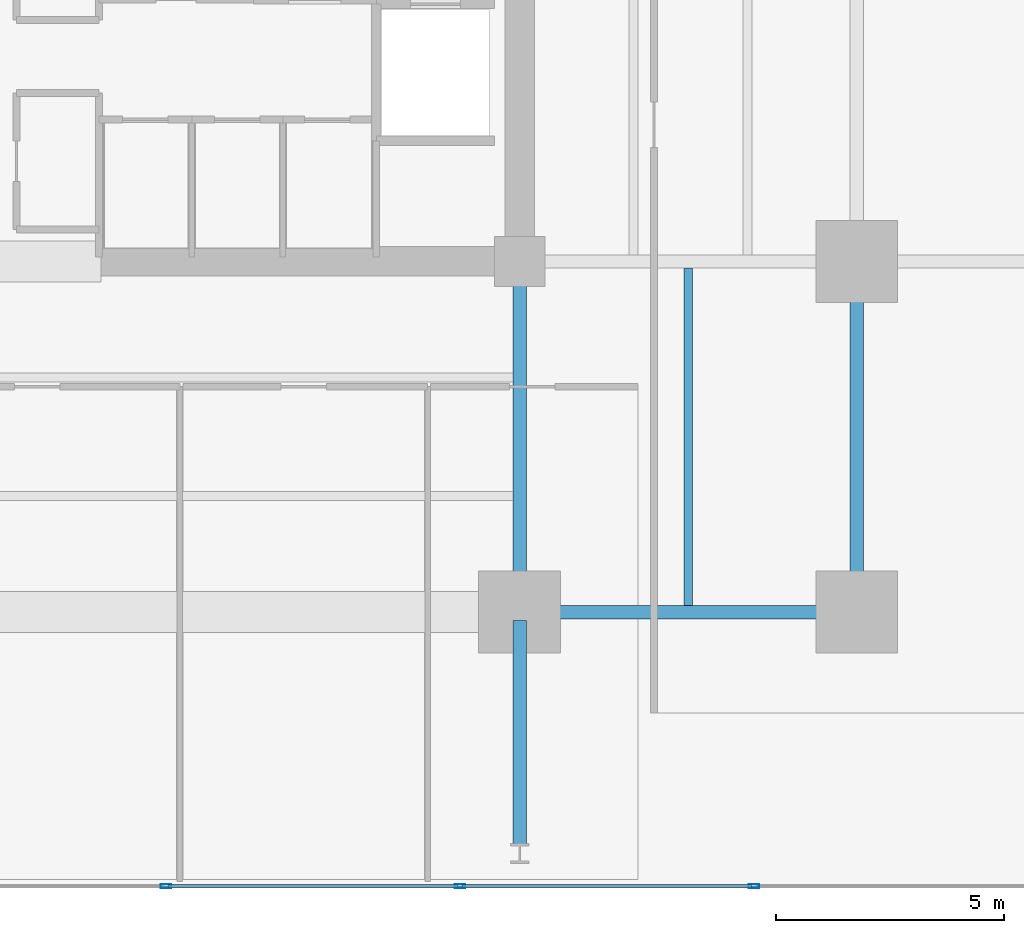
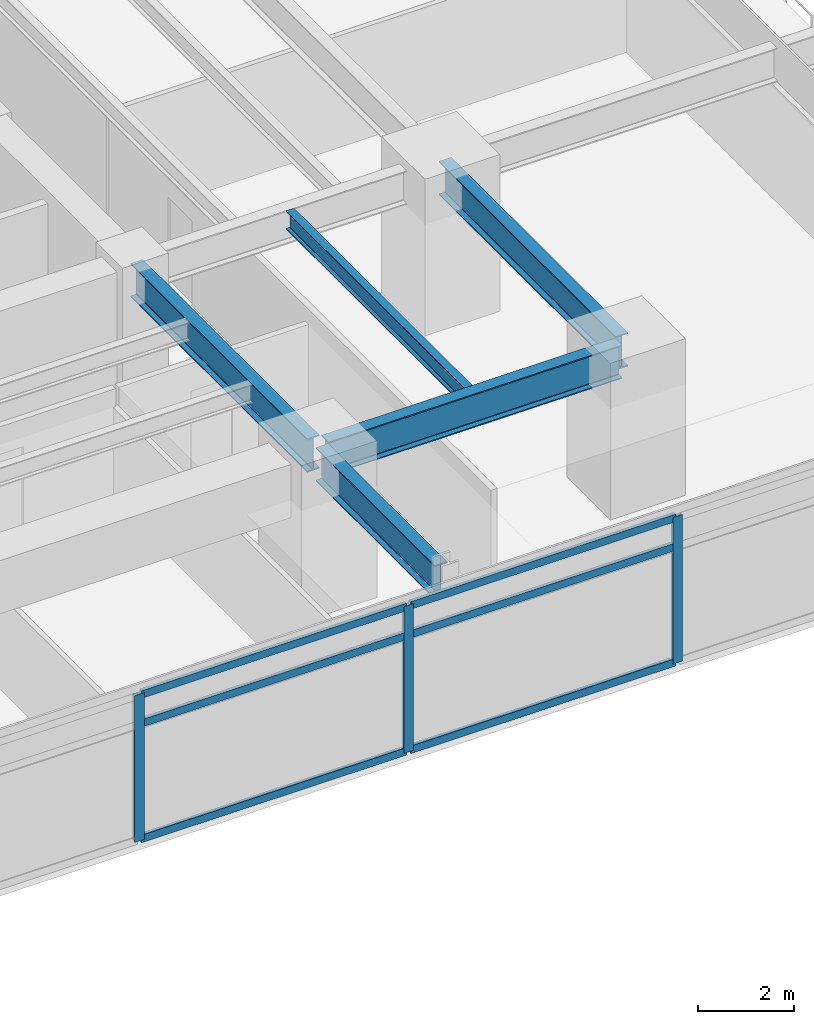
# One storey, part 6 of 22: 9 members, 5 beams, 1 element without a shape of its own.
"""IFC4 building model written with IfcOpenShell, lengths in metres."""

import ifcopenshell
import ifcopenshell.guid

model = None  # the IFC model being written
_history = None  # IfcOwnerHistory: only IFC2X3 demands one
_inside = {}  # id of a spatial element -> (the spatial element, [elements in it])
_under = {}  # id of a project, library or spatial element -> (it, [spatial elements below it])
_declared = {}  # id of a project -> (the project, [libraries it declares])
_typed = {}  # id of a type object -> (the type object, [elements of that type])
_made_of = {}  # id of a material, layer set ... -> (it, [elements and type objects made of it])


def new_model(schema):
    """Start an empty IFC model of exactly this schema.

    Asked for "IFC4X3", IfcOpenShell would pick the latest addendum, in which some entities
    have other attributes; the version numbers below select the first issue.
    IFC2X3 requires an IfcOwnerHistory on every rooted entity: one is made here for all.
    """
    global model, _history
    if schema == "IFC4X3":
        model = ifcopenshell.file(schema_version=(4, 3, 0, 0))
    else:
        model = ifcopenshell.file(schema=schema)
    _inside.clear()
    _under.clear()
    _declared.clear()
    _typed.clear()
    _made_of.clear()
    _history = None
    if model.schema == "IFC2X3":
        org = make("IfcOrganization", Name="unknown")
        user = make(
            "IfcPersonAndOrganization",
            ThePerson=make("IfcPerson", FamilyName="unknown"),
            TheOrganization=org,
        )
        app = make(
            "IfcApplication",
            ApplicationDeveloper=org,
            Version="unknown",
            ApplicationFullName="unknown",
            ApplicationIdentifier="unknown",
        )
        _history = make(
            "IfcOwnerHistory",
            OwningUser=user,
            OwningApplication=app,
            ChangeAction="ADDED",
            CreationDate=0,
        )
    return model


def make(cls, **values):
    """One entity of the class cls with the attributes given. An attribute that is None is left unset."""
    return model.create_entity(
        cls, **{name: value for name, value in values.items() if value is not None}
    )


def rooted(cls, **values):
    """An entity with a GlobalId (a new one), such as an element, a storey or a relation."""
    return make(cls, GlobalId=ifcopenshell.guid.new(), OwnerHistory=_history, **values)


def si_unit(unit_type, name, prefix=None):
    """IfcSIUnit, for example si_unit("LENGTHUNIT", "METRE", prefix="MILLI")."""
    return make("IfcSIUnit", UnitType=unit_type, Prefix=prefix, Name=name)


def assignment(units):
    """IfcUnitAssignment: the units of a project."""
    return None if units is None else make("IfcUnitAssignment", Units=units)


def point(xyz):
    """IfcCartesianPoint."""
    return None if xyz is None else make("IfcCartesianPoint", Coordinates=xyz)


def direction(xyz):
    """IfcDirection."""
    return None if xyz is None else make("IfcDirection", DirectionRatios=xyz)


def frame(location, z_axis=None, x_axis=None):
    """IfcAxis2Placement3D, a coordinate frame: its origin and axes. An axis left out is left unset."""
    return make(
        "IfcAxis2Placement3D",
        Location=point(location),
        Axis=direction(z_axis),
        RefDirection=direction(x_axis),
    )


def frame_2d(location, x_axis=None):
    """IfcAxis2Placement2D, a coordinate frame in the plane: its origin and x axis."""
    return make(
        "IfcAxis2Placement2D", Location=point(location), RefDirection=direction(x_axis)
    )


def origin():
    """The frame at (0, 0, 0) with its axes left unset."""
    return frame((0.0, 0.0, 0.0))


def origin_2d():
    """The frame at (0, 0) in the plane with its x axis left unset."""
    return frame_2d((0.0, 0.0))


def place(relative_to, where):
    """IfcLocalPlacement: puts the frame where relative to a parent placement (None: the world)."""
    return make(
        "IfcLocalPlacement", PlacementRelTo=relative_to, RelativePlacement=where
    )


def context(
    kind, dimensions, precision=None, world=None, true_north=None, identifier=None
):
    """IfcGeometricRepresentationContext, for example the 3D "Model" context."""
    return make(
        "IfcGeometricRepresentationContext",
        ContextIdentifier=identifier,
        ContextType=kind,
        CoordinateSpaceDimension=dimensions,
        Precision=precision,
        WorldCoordinateSystem=world,
        TrueNorth=true_north,
    )


def subcontext(parent, identifier, kind, view, scale=None):
    """IfcGeometricRepresentationSubContext, for example "Body" below "Model"."""
    return make(
        "IfcGeometricRepresentationSubContext",
        ContextIdentifier=identifier,
        ContextType=kind,
        ParentContext=parent,
        TargetScale=scale,
        TargetView=view,
    )


def project(units=None, contexts=None):
    """IfcProject with its units and contexts."""
    return rooted(
        "IfcProject",
        Name="project",
        RepresentationContexts=contexts,
        UnitsInContext=assignment(units),
    )


def spatial(cls, under=None, at=None, **own):
    """A site, building, storey or space (cls), placed at a placement, below another one or the project."""
    s = rooted(cls, ObjectPlacement=at, **own)
    if under is not None:
        _under.setdefault(under.id(), (under, []))[1].append(s)
    return s


def profile(cls, at=None, kind="AREA", **sizes):
    """A parametric profile (cls). Its sizes go by their IFC names, for example OverallWidth=200.0."""
    return make(cls, ProfileType=kind, Position=at, **sizes)


def hollow_rectangle(**sizes):
    """IfcRectangleHollowProfileDef."""
    return profile("IfcRectangleHollowProfileDef", **sizes)


def i_section(**sizes):
    """IfcIShapeProfileDef."""
    return profile("IfcIShapeProfileDef", **sizes)


def extrude(swept, where, along, depth):
    """IfcExtrudedAreaSolid: the profile swept, set in the frame where, extruded along a direction by depth."""
    return make(
        "IfcExtrudedAreaSolid",
        SweptArea=swept,
        Position=where,
        ExtrudedDirection=direction(along),
        Depth=depth,
    )


def shape(context_of_items, identifier, shape_type, items):
    """IfcShapeRepresentation: the items that make up one representation, for example the "Body"."""
    return make(
        "IfcShapeRepresentation",
        ContextOfItems=context_of_items,
        RepresentationIdentifier=identifier,
        RepresentationType=shape_type,
        Items=items,
    )


def material(Name=None, Category=None):
    """IfcMaterial."""
    return make("IfcMaterial", Name=Name, Category=Category)


def material_profile(
    of_material, cross_section, Name=None, Category=None, Priority=None
):
    """IfcMaterialProfile: a cross section and its material."""
    return make(
        "IfcMaterialProfile",
        Name=Name,
        Material=of_material,
        Profile=cross_section,
        Priority=Priority,
        Category=Category,
    )


def profile_set(profiles, Name=None, composite=None):
    """IfcMaterialProfileSet."""
    return make(
        "IfcMaterialProfileSet",
        Name=Name,
        MaterialProfiles=profiles,
        CompositeProfile=composite,
    )


def made_of(thing, what):
    """Note that an element or type object is made of a material, layer set ...; save() writes the relation."""
    if what is not None:
        _made_of.setdefault(what.id(), (what, []))[1].append(thing)
    return thing


def type_object(cls, material=None, **own):
    """A type object (cls), such as IfcWallType, which elements share."""
    return made_of(rooted(cls, **own), material)


def element(
    cls,
    number,
    at=None,
    inside=None,
    cuts=None,
    type_object=None,
    material=None,
    context=None,
    identifier="Body",
    shape_type=None,
    held_by="IfcProductDefinitionShape",
    body=None,
    shapes=None,
    **own,
):
    """One element of the class cls, such as IfcWall. Its Tag is "e" and its number.

    at: its placement. inside: the storey or other place that contains it. cuts: it is an
    opening in that element (IfcRelVoidsElement). A single representation is given by context,
    identifier, shape_type and body (its items); several are given by shapes. held_by: the class
    of the entity that holds the representations. save() writes the other relations.
    """
    e = rooted(cls, Tag="e%d" % number, ObjectPlacement=at, **own)
    if body is not None:
        shapes = [shape(context, identifier, shape_type, body)]
    if shapes is not None:
        e.Representation = make(held_by, Representations=shapes)
    if inside is not None:
        _inside.setdefault(inside.id(), (inside, []))[1].append(e)
    if cuts is not None:
        rooted(
            "IfcRelVoidsElement", RelatingBuildingElement=cuts, RelatedOpeningElement=e
        )
    if type_object is not None:
        _typed.setdefault(type_object.id(), (type_object, []))[1].append(e)
    return made_of(e, material)


def aggregate(whole, parts):
    """IfcRelAggregates: a whole, such as a stair, and the parts it consists of."""
    return rooted("IfcRelAggregates", RelatingObject=whole, RelatedObjects=parts)


def save(model, path):
    """Write the relations noted so far, then the file.

    IfcRelAggregates (storeys below a building ...), IfcRelContainedInSpatialStructure (elements
    in a storey), IfcRelDefinesByType, IfcRelAssociatesMaterial and IfcRelDeclares: one each for
    every whole, place, type object, material and project.
    """
    for whole, parts in _under.values():
        aggregate(whole, parts)
    for where, things in _inside.values():
        rooted(
            "IfcRelContainedInSpatialStructure",
            RelatedElements=things,
            RelatingStructure=where,
        )
    for kind, things in _typed.values():
        rooted("IfcRelDefinesByType", RelatedObjects=things, RelatingType=kind)
    for what, things in _made_of.values():
        rooted("IfcRelAssociatesMaterial", RelatedObjects=things, RelatingMaterial=what)
    for by, libraries in _declared.values():
        rooted("IfcRelDeclares", RelatingContext=by, RelatedDefinitions=libraries)
    model.write(path)


model = new_model("IFC4")

# Units and contexts
model_context = context("Model", 3, precision=1e-05, world=origin(), true_north=direction((0.0, 1.0)))
body_context = subcontext(model_context, "Body", "Model", "MODEL_VIEW")
ifc_project = project(units=[si_unit("LENGTHUNIT", "METRE"), si_unit("AREAUNIT", "SQUARE_METRE"), si_unit("VOLUMEUNIT", "CUBIC_METRE"), si_unit("PLANEANGLEUNIT", "RADIAN"), si_unit("MASSUNIT", "GRAM", prefix="KILO")], contexts=[model_context])

# Site, building, storey
site_placement = place(None, origin())
site = spatial("IfcSite", under=ifc_project, at=site_placement, CompositionType="ELEMENT")
building_placement = place(site_placement, origin())
building = spatial("IfcBuilding", under=site, at=building_placement, Name="Kovane Verandah Tower", CompositionType="ELEMENT")
storey_placement = place(building_placement, frame((0.0, 0.0, 99.60009765625)))
storey = spatial("IfcBuildingStorey", under=building, at=storey_placement, Name="L23", CompositionType="ELEMENT", Elevation=99.60009765625)

# Beams
ifc_material_1 = material(Name="Steel S355", Category="steel")
ifc_material_profile_1 = material_profile(ifc_material_1, i_section(OverallWidth=0.293701171875, OverallDepth=0.850830078125, WebThickness=0.01611328125, FlangeThickness=0.02685546875, FilletRadius=0.017822265625, at=origin_2d()), Name="UB838x292x226")
ifc_profile_set_1 = profile_set([ifc_material_profile_1], Name="Steel S355")
beam_type_1 = type_object("IfcBeamType", Name="BM-UB838x226", PredefinedType="BEAM", material=ifc_profile_set_1)
beam_1_placement = place(storey_placement, frame((51.179931640625, 10.800048828125, 3.33447265625), z_axis=(1.0, 0.0, 0.0), x_axis=(0.0, 1.0, 0.0)))
element("IfcBeam", 1, at=beam_1_placement, inside=storey, type_object=beam_type_1, Name="L23 Primary Tower Girder G-RS3", PredefinedType="BEAM", context=body_context, shape_type="SweptSolid", body=[
    extrude(i_section(OverallWidth=0.293701171875, OverallDepth=0.850830078125, WebThickness=0.01611328125, FlangeThickness=0.02685546875, FilletRadius=0.017822265625, at=origin_2d()), origin(), (0.0, 0.0, 1.0), 7.0400390625),
])
for number, where, z_axis, x_axis, name in (
    (2, (58.39990234375, 10.97998046875, 3.33447265625), (0.0, 1.0, 0.0), (-1.0, 0.0, 0.0), "L23 Primary Tower Girder G-RE1"),
    (3, (51.0, 18.320068359375, 3.33447265625), (0.0, -1.0, 0.0), (1.0, 0.0, 0.0), "L23 Primary Tower Girder G-S2"),
):
    element("IfcBeam", number, at=place(storey_placement, frame(where, z_axis=z_axis, x_axis=x_axis)), inside=storey, type_object=beam_type_1, Name=name, PredefinedType="BEAM", context=body_context, shape_type="SweptSolid", body=[
        extrude(i_section(OverallWidth=0.293701171875, OverallDepth=0.850830078125, WebThickness=0.01611328125, FlangeThickness=0.02685546875, FilletRadius=0.017822265625, at=origin_2d()), origin(), (0.0, 0.0, 1.0), 7.340087890625),
    ])
beam_2_placement = place(storey_placement, frame((51.0, 10.6201171875, 3.33447265625), z_axis=(0.0, -1.0, 0.0), x_axis=(1.0, 0.0, 0.0)))
element("IfcBeam", 4, at=beam_2_placement, inside=storey, type_object=beam_type_1, Name="L23 Primary Tower Girder G-VS2", PredefinedType="BEAM", context=body_context, shape_type="SweptSolid", body=[
    extrude(i_section(OverallWidth=0.293701171875, OverallDepth=0.850830078125, WebThickness=0.01611328125, FlangeThickness=0.02685546875, FilletRadius=0.017822265625, at=origin_2d()), origin(), (0.0, 0.0, 1.0), 4.940185546875),
])

# Curtain wall, members
ifc_material_2 = material(Name="Champagne Anodised Aluminium Frame with Low-E Clear Laminated Glass", Category="aluminium")
curtain_wall_type = type_object("IfcCurtainWallType", Name="CW-SYS-02-LOW", PredefinedType="NOTDEFINED", material=ifc_material_2)
curtain_wall_placement = place(storey_placement, origin())
curtain_wall = element("IfcCurtainWall", 5, at=curtain_wall_placement, inside=storey, type_object=curtain_wall_type, Name="L23 S Unitised Curtain Wall", PredefinedType="NOTDEFINED")
ifc_material_3 = material(Name="Champagne Anodised Aluminium 6063-T6", Category="aluminium")
ifc_material_profile_2 = material_profile(ifc_material_3, hollow_rectangle(XDim=0.0849609375, YDim=0.22998046875, WallThickness=0.00390625, at=origin_2d()), Name="AL85x230x4")
ifc_profile_set_2 = profile_set([ifc_material_profile_2], Name="Champagne Anodised Aluminium 6063-T6")
member_type_1 = type_object("IfcMemberType", Name="CW-MUL-85x230", PredefinedType="MULLION", material=ifc_profile_set_2)
member_1_placement = place(storey_placement, frame((43.228515625, 4.781005859375, 0.02001953125), z_axis=(0.0, 0.0, 1.0), x_axis=(0.0, -1.0, 0.0)))
member_1 = element("IfcMember", 6, at=member_1_placement, type_object=member_type_1, Name="L23 S Unitised Curtain Wall Mullion 5", PredefinedType="MULLION", context=body_context, shape_type="SweptSolid", body=[
    extrude(hollow_rectangle(XDim=0.0849609375, YDim=0.22998046875, WallThickness=0.00390625, at=origin_2d()), origin(), (0.0, 0.0, 1.0), 3.719970703125),
])
member_2_placement = place(storey_placement, frame((49.68505859375, 4.781005859375, 0.02001953125), z_axis=(0.0, 0.0, 1.0), x_axis=(0.0, -1.0, 0.0)))
member_2 = element("IfcMember", 7, at=member_2_placement, type_object=member_type_1, Name="L23 S Unitised Curtain Wall Mullion 6", PredefinedType="MULLION", context=body_context, shape_type="SweptSolid", body=[
    extrude(hollow_rectangle(XDim=0.0849609375, YDim=0.22998046875, WallThickness=0.00390625, at=origin_2d()), origin(), (0.0, 0.0, 1.0), 3.719970703125),
])
member_3_placement = place(storey_placement, frame((56.141845703125, 4.781005859375, 0.02001953125), z_axis=(0.0, 0.0, 1.0), x_axis=(0.0, -1.0, 0.0)))
member_3 = element("IfcMember", 8, at=member_3_placement, type_object=member_type_1, Name="L23 S Unitised Curtain Wall Mullion 7", PredefinedType="MULLION", context=body_context, shape_type="SweptSolid", body=[
    extrude(hollow_rectangle(XDim=0.0849609375, YDim=0.22998046875, WallThickness=0.00390625, at=origin_2d()), origin(), (0.0, 0.0, 1.0), 3.719970703125),
])
ifc_material_profile_3 = material_profile(ifc_material_3, hollow_rectangle(XDim=0.0849609375, YDim=0.18994140625, WallThickness=0.00390625, at=origin_2d()), Name="AL85x190x4")
ifc_profile_set_3 = profile_set([ifc_material_profile_3], Name="Champagne Anodised Aluminium 6063-T6")
member_type_2 = type_object("IfcMemberType", Name="CW-TRN-85x190", PredefinedType="USERDEFINED", material=ifc_profile_set_3)
member_4_placement = place(storey_placement, frame((43.2783203125, 4.781005859375, 0.0498046875), z_axis=(1.0, 0.0, 0.0), x_axis=(0.0, 1.0, 0.0)))
member_4 = element("IfcMember", 9, at=member_4_placement, type_object=member_type_2, Name="L23 S Unitised Curtain Wall Transom TB Bay 5", ObjectType="TRANSOM", PredefinedType="USERDEFINED", context=body_context, shape_type="SweptSolid", body=[
    extrude(hollow_rectangle(XDim=0.0849609375, YDim=0.18994140625, WallThickness=0.00390625, at=origin_2d()), origin(), (0.0, 0.0, 1.0), 6.356689453125),
])
member_5_placement = place(storey_placement, frame((43.2783203125, 4.781005859375, 2.97998046875), z_axis=(1.0, 0.0, 0.0), x_axis=(0.0, 1.0, 0.0)))
member_5 = element("IfcMember", 10, at=member_5_placement, type_object=member_type_2, Name="L23 S Unitised Curtain Wall Transom TM Bay 5", ObjectType="TRANSOM", PredefinedType="USERDEFINED", context=body_context, shape_type="SweptSolid", body=[
    extrude(hollow_rectangle(XDim=0.0849609375, YDim=0.18994140625, WallThickness=0.00390625, at=origin_2d()), origin(), (0.0, 0.0, 1.0), 6.356689453125),
])
member_6_placement = place(storey_placement, frame((43.2783203125, 4.781005859375, 3.7099609375), z_axis=(1.0, 0.0, 0.0), x_axis=(0.0, 1.0, 0.0)))
member_6 = element("IfcMember", 11, at=member_6_placement, type_object=member_type_2, Name="L23 S Unitised Curtain Wall Transom TT Bay 5", ObjectType="TRANSOM", PredefinedType="USERDEFINED", context=body_context, shape_type="SweptSolid", body=[
    extrude(hollow_rectangle(XDim=0.0849609375, YDim=0.18994140625, WallThickness=0.00390625, at=origin_2d()), origin(), (0.0, 0.0, 1.0), 6.356689453125),
])
member_7_placement = place(storey_placement, frame((49.735107421875, 4.781005859375, 0.0498046875), z_axis=(1.0, 0.0, 0.0), x_axis=(0.0, 1.0, 0.0)))
member_7 = element("IfcMember", 12, at=member_7_placement, type_object=member_type_2, Name="L23 S Unitised Curtain Wall Transom TB Bay 6", ObjectType="TRANSOM", PredefinedType="USERDEFINED", context=body_context, shape_type="SweptSolid", body=[
    extrude(hollow_rectangle(XDim=0.0849609375, YDim=0.18994140625, WallThickness=0.00390625, at=origin_2d()), origin(), (0.0, 0.0, 1.0), 6.356689453125),
])
member_8_placement = place(storey_placement, frame((49.735107421875, 4.781005859375, 2.97998046875), z_axis=(1.0, 0.0, 0.0), x_axis=(0.0, 1.0, 0.0)))
member_8 = element("IfcMember", 13, at=member_8_placement, type_object=member_type_2, Name="L23 S Unitised Curtain Wall Transom TM Bay 6", ObjectType="TRANSOM", PredefinedType="USERDEFINED", context=body_context, shape_type="SweptSolid", body=[
    extrude(hollow_rectangle(XDim=0.0849609375, YDim=0.18994140625, WallThickness=0.00390625, at=origin_2d()), origin(), (0.0, 0.0, 1.0), 6.356689453125),
])
member_9_placement = place(storey_placement, frame((49.735107421875, 4.781005859375, 3.7099609375), z_axis=(1.0, 0.0, 0.0), x_axis=(0.0, 1.0, 0.0)))
member_9 = element("IfcMember", 14, at=member_9_placement, type_object=member_type_2, Name="L23 S Unitised Curtain Wall Transom TT Bay 6", ObjectType="TRANSOM", PredefinedType="USERDEFINED", context=body_context, shape_type="SweptSolid", body=[
    extrude(hollow_rectangle(XDim=0.0849609375, YDim=0.18994140625, WallThickness=0.00390625, at=origin_2d()), origin(), (0.0, 0.0, 1.0), 6.356689453125),
])
aggregate(curtain_wall, [member_1, member_2, member_3, member_4, member_5, member_6, member_7, member_8, member_9])

# Beam
ifc_material_profile_4 = material_profile(ifc_material_1, i_section(OverallWidth=0.19287109375, OverallDepth=0.46728515625, WebThickness=0.011474609375, FlangeThickness=0.01953125, FilletRadius=0.01025390625, at=origin_2d()), Name="UB457x191x98")
ifc_profile_set_4 = profile_set([ifc_material_profile_4], Name="Steel S355")
beam_type_2 = type_object("IfcBeamType", Name="JST-UB457x98", PredefinedType="JOIST", material=ifc_profile_set_4)
beam_3_placement = place(storey_placement, frame((54.699951171875, 10.94482421875, 3.5263671875), z_axis=(0.0, 1.0, 0.0), x_axis=(-1.0, 0.0, 0.0)))
element("IfcBeam", 15, at=beam_3_placement, inside=storey, type_object=beam_type_2, Name="L23 Secondary Composite Joist J-SE1", PredefinedType="JOIST", context=body_context, shape_type="SweptSolid", body=[
    extrude(i_section(OverallWidth=0.19287109375, OverallDepth=0.46728515625, WebThickness=0.011474609375, FlangeThickness=0.01953125, FilletRadius=0.01025390625, at=origin_2d()), origin(), (0.0, 0.0, 1.0), 7.41015625),
])

save(model, "model.ifc")
